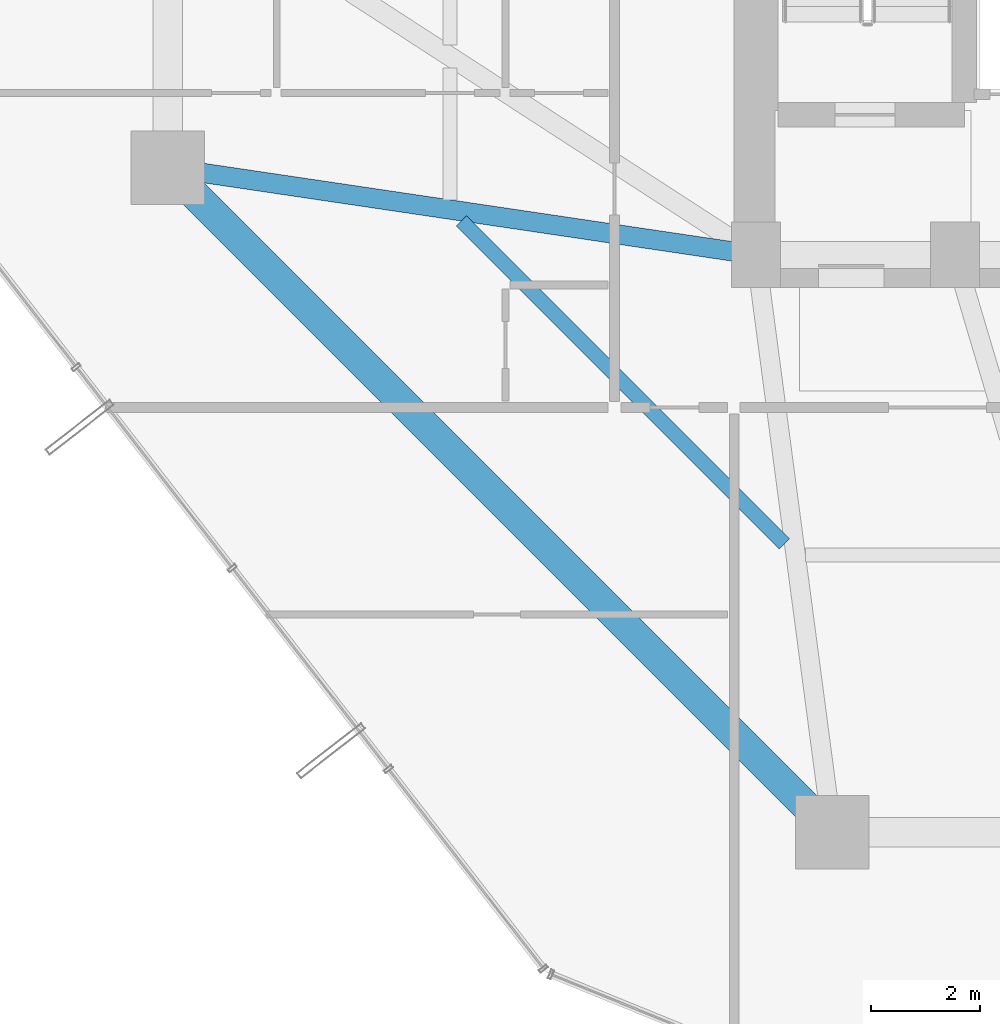
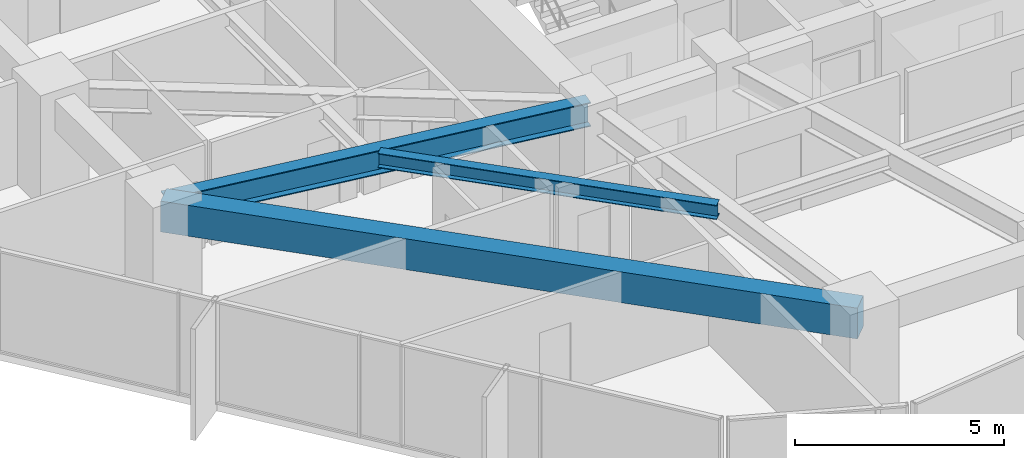
# One storey, part 5 of 37: 3 beams.
"""IFC4 building model written with IfcOpenShell, lengths in metres."""

from ifc_helpers import new_model, si_unit, direction, frame, origin, origin_2d, place, context, subcontext, project, spatial, rectangle, i_section, extrude, material, material_profile, profile_set, type_object, element, save


model = new_model("IFC4")

# Units and contexts
model_context = context("Model", 3, precision=1e-05, world=origin(), true_north=direction((0.0, 1.0)))
body_context = subcontext(model_context, "Body", "Model", "MODEL_VIEW")
ifc_project = project(units=[si_unit("LENGTHUNIT", "METRE"), si_unit("AREAUNIT", "SQUARE_METRE"), si_unit("VOLUMEUNIT", "CUBIC_METRE"), si_unit("PLANEANGLEUNIT", "RADIAN"), si_unit("MASSUNIT", "GRAM", prefix="KILO")], contexts=[model_context])

# Site, building, storey
site_placement = place(None, origin())
site = spatial("IfcSite", under=ifc_project, at=site_placement, CompositionType="ELEMENT")
building_placement = place(site_placement, origin())
building = spatial("IfcBuilding", under=site, at=building_placement, Name="Veraguas Prism Commons", CompositionType="ELEMENT")
storey_placement = place(building_placement, frame((0.0, 0.0, 50.050048828125)))
storey = spatial("IfcBuildingStorey", under=building, at=storey_placement, Name="L13", CompositionType="ELEMENT", Elevation=50.050048828125)

# Beams
ifc_material_1 = material(Name="Steel ASTM A992 Grade 50", Category="steel")
ifc_material_profile_1 = material_profile(ifc_material_1, i_section(OverallWidth=0.260986328125, OverallDepth=0.419921875, WebThickness=0.01171875, FlangeThickness=0.019287109375, at=origin_2d()), Name="W410X114")
ifc_profile_set_1 = profile_set([ifc_material_profile_1], Name="Steel ASTM A992 Grade 50")
beam_type_1 = type_object("IfcBeamType", Name="Lower Floor Joist W410x114", PredefinedType="JOIST", material=ifc_profile_set_1)
beam_1_placement = place(storey_placement, frame((11.79296875, 17.623046875, 2.7900390625), z_axis=(0.707092226423, -0.70712133565, 0.0), x_axis=(0.70712133565, 0.707092226423, 0.0)))
element("IfcBeam", 1, at=beam_1_placement, inside=storey, type_object=beam_type_1, Name="Composite Floor Joist L13-JS09", PredefinedType="JOIST", context=body_context, shape_type="SweptSolid", body=[
    extrude(i_section(OverallWidth=0.260986328125, OverallDepth=0.419921875, WebThickness=0.01171875, FlangeThickness=0.019287109375, at=origin_2d()), origin(), (0.0, 0.0, 1.0), 8.386962890625),
])
ifc_material_2 = material(Name="Concrete C50/60", Category="concrete")
ifc_material_profile_2 = material_profile(ifc_material_2, rectangle(XDim=0.550048828125, YDim=0.89990234375, at=origin_2d()), Name="RC550X900")
ifc_profile_set_2 = profile_set([ifc_material_profile_2], Name="Concrete C50/60")
beam_type_2 = type_object("IfcBeamType", Name="Perimeter Spandrel Lower RC 550x900", PredefinedType="SPANDREL", material=ifc_profile_set_2)
beam_2_placement = place(storey_placement, frame((6.39990234375, 18.60009765625, 2.550048828125), z_axis=(0.707106781187, -0.707106781187, 0.0), x_axis=(0.707106781187, 0.707106781187, 0.0)))
element("IfcBeam", 2, at=beam_2_placement, inside=storey, type_object=beam_type_2, Name="Perimeter Spandrel Beam L13-SP09", PredefinedType="SPANDREL", context=body_context, shape_type="SweptSolid", body=[
    extrude(rectangle(XDim=0.550048828125, YDim=0.89990234375, at=origin_2d()), origin(), (0.0, 0.0, 1.0), 17.253662109375),
])
ifc_material_profile_3 = material_profile(ifc_material_1, i_section(OverallWidth=0.35595703125, OverallDepth=0.700927734375, WebThickness=0.016845703125, FlangeThickness=0.02734375, at=origin_2d()), Name="W690X240")
ifc_profile_set_3 = profile_set([ifc_material_profile_3], Name="Steel ASTM A992 Grade 50")
beam_type_3 = type_object("IfcBeamType", Name="Zone 1 Radial Girder W690x240", PredefinedType="BEAM", material=ifc_profile_set_3)
beam_3_placement = place(storey_placement, frame((6.39990234375, 18.60009765625, 2.6494140625), z_axis=(0.989202261707, -0.146556765224, 0.0), x_axis=(0.146556765224, 0.989202261707, 0.0)))
element("IfcBeam", 3, at=beam_3_placement, inside=storey, type_object=beam_type_3, Name="Radial Floor Girder L13-RD09", PredefinedType="BEAM", context=body_context, shape_type="SweptSolid", body=[
    extrude(i_section(OverallWidth=0.35595703125, OverallDepth=0.700927734375, WebThickness=0.016845703125, FlangeThickness=0.02734375, at=origin_2d()), origin(), (0.0, 0.0, 1.0), 10.91796875),
])

save(model, "model.ifc")
